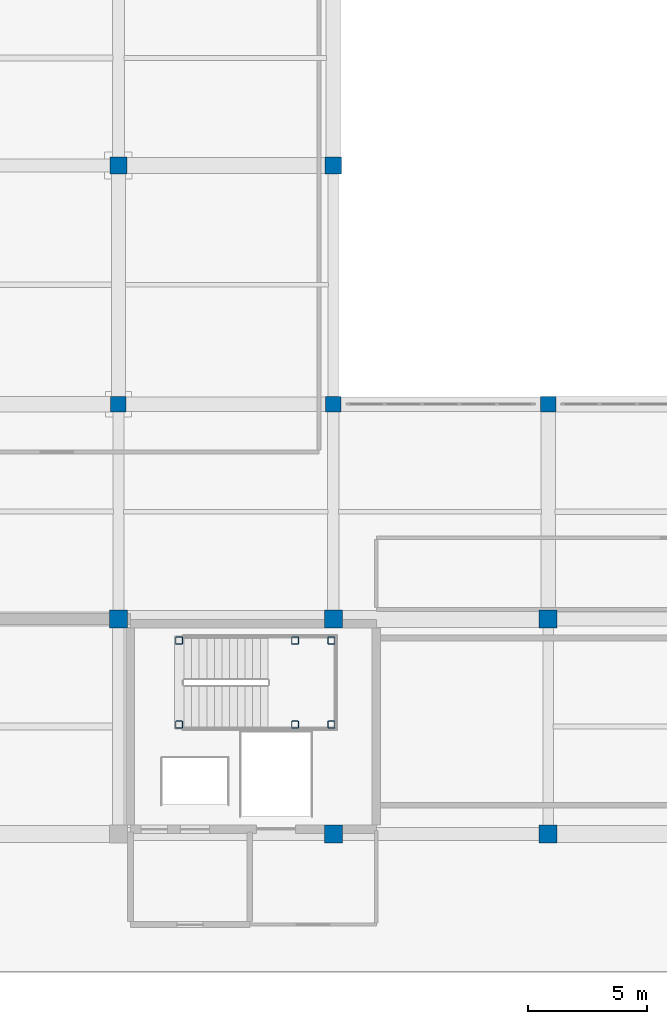
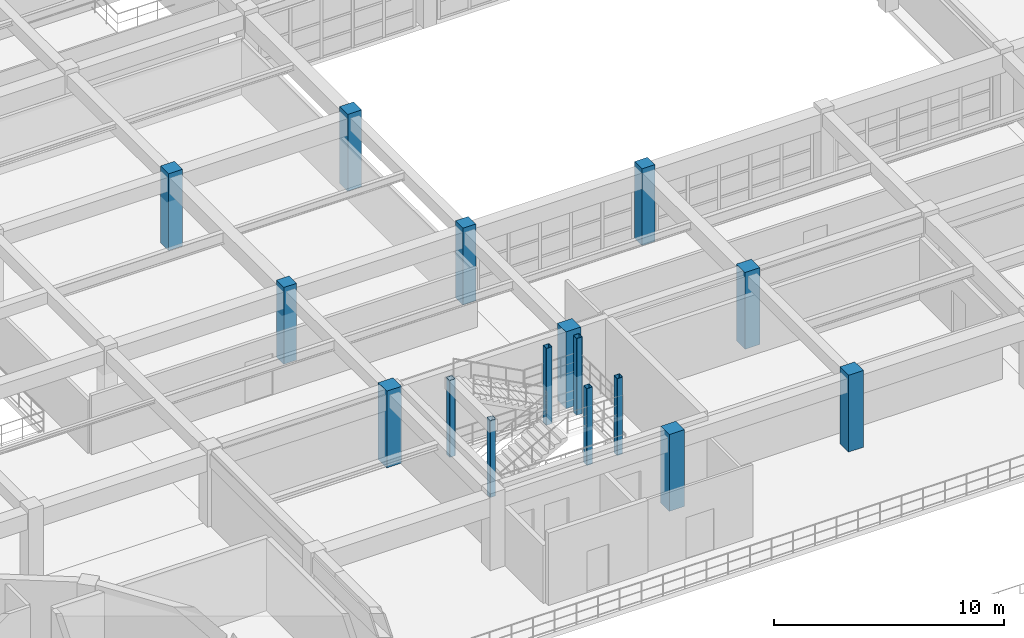
# One storey, part 12 of 130: 16 columns.
"""IFC4 building model written with IfcOpenShell, lengths in metres."""

from ifc_helpers import new_model, si_unit, direction, frame, origin, origin_2d, place, context, subcontext, project, spatial, rectangle, hollow_rectangle, extrude, material, material_profile, profile_set, type_object, element, save


model = new_model("IFC4")

# Units and contexts
model_context = context("Model", 3, precision=1e-05, world=origin(), true_north=direction((0.0, 1.0)))
body_context = subcontext(model_context, "Body", "Model", "MODEL_VIEW")
ifc_project = project(units=[si_unit("LENGTHUNIT", "METRE"), si_unit("AREAUNIT", "SQUARE_METRE"), si_unit("VOLUMEUNIT", "CUBIC_METRE"), si_unit("PLANEANGLEUNIT", "RADIAN"), si_unit("MASSUNIT", "GRAM", prefix="KILO")], contexts=[model_context])

# Site, building, storey
site_placement = place(None, origin())
site = spatial("IfcSite", under=ifc_project, at=site_placement, CompositionType="ELEMENT")
building_placement = place(site_placement, origin())
building = spatial("IfcBuilding", under=site, at=building_placement, Name="Miravela Opera House", CompositionType="ELEMENT")
storey_placement = place(building_placement, frame((0.0, 0.0, 9.52001953125)))
storey = spatial("IfcBuildingStorey", under=building, at=storey_placement, Name="L02", CompositionType="ELEMENT", Elevation=9.52001953125)

# Columns
ifc_material_1 = material(Name="Hollow structural steel ASTM A500 Gr. C", Category="steel")
ifc_material_profile_1 = material_profile(ifc_material_1, hollow_rectangle(XDim=0.300048828125, YDim=0.300048828125, WallThickness=0.01611328125, InnerFilletRadius=0.01611328125, OuterFilletRadius=0.031982421875, at=origin_2d()), Name="HSS300X300X16")
ifc_profile_set_1 = profile_set([ifc_material_profile_1])
column_type_1 = type_object("IfcColumnType", Name="STR-COL-HSS300", PredefinedType="COLUMN", material=ifc_profile_set_1)
for number, where, z_axis, x_axis, name in (
    (1, (110.5400390625, 70.580078125, 0.0), (0.0, 0.0, 1.0), (1.0, 0.0, 0.0), "Stair K3 Landing Support Column 1 (L02)"),
    (2, (110.5400390625, 74.10009765625, 0.0), (0.0, 0.0, 1.0), (1.0, 0.0, 0.0), "Stair K3 Landing Support Column 2 (L02)"),
    (3, (115.39990234375, 70.580078125, 0.0), (0.0, 0.0, 1.0), (1.0, 0.0, 0.0), "Stair K3 Landing Support Column 3 (L02)"),
    (4, (115.39990234375, 74.10009765625, 0.0), (0.0, 0.0, 1.0), (1.0, 0.0, 0.0), "Stair K3 Landing Support Column 4 (L02)"),
    (5, (116.919921875, 70.580078125, 0.0), (0.0, 0.0, 1.0), (1.0, 0.0, 0.0), "Stair K3 Landing Support Column 5 (L02)"),
    (6, (116.919921875, 74.10009765625, 0.0), (0.0, 0.0, 1.0), (1.0, 0.0, 0.0), "Stair K3 Landing Support Column 6 (L02)"),
):
    element("IfcColumn", number, at=place(storey_placement, frame(where, z_axis=z_axis, x_axis=x_axis)), inside=storey, type_object=column_type_1, Name=name, PredefinedType="COLUMN", context=body_context, shape_type="SweptSolid", body=[
        extrude(hollow_rectangle(XDim=0.300048828125, YDim=0.300048828125, WallThickness=0.01611328125, InnerFilletRadius=0.01611328125, OuterFilletRadius=0.031982421875, at=origin_2d()), origin(), (0.0, 0.0, 1.0), 4.080078125),
    ])
ifc_material_2 = material(Name="Concrete C35/45", Category="concrete")
ifc_material_profile_2 = material_profile(ifc_material_2, rectangle(XDim=0.64990234375, YDim=0.64990234375, at=origin_2d()), Name="RC-COL-650X650")
ifc_profile_set_2 = profile_set([ifc_material_profile_2])
column_type_2 = type_object("IfcColumnType", Name="STR-COL-RC650", PredefinedType="COLUMN", material=ifc_profile_set_2)
for number, where, z_axis, x_axis, name in (
    (7, (108.0, 84.0, 0.0), (0.0, 0.0, 1.0), (1.0, 0.0, 0.0), "Column C-13J (L02)"),
    (8, (117.0, 84.0, 0.0), (0.0, 0.0, 1.0), (1.0, 0.0, 0.0), "Column C-14J (L02)"),
    (9, (126.0, 84.0, 0.0), (0.0, 0.0, 1.0), (1.0, 0.0, 0.0), "Column C-15J (L02)"),
):
    element("IfcColumn", number, at=place(storey_placement, frame(where, z_axis=z_axis, x_axis=x_axis)), inside=storey, type_object=column_type_2, Name=name, PredefinedType="COLUMN", context=body_context, shape_type="SweptSolid", body=[
        extrude(rectangle(XDim=0.64990234375, YDim=0.64990234375, at=origin_2d()), origin(), (0.0, 0.0, 1.0), 4.080078125),
    ])
ifc_material_profile_3 = material_profile(ifc_material_2, rectangle(XDim=0.699951171875, YDim=0.699951171875, at=origin_2d()), Name="RC-COL-700X700")
ifc_profile_set_3 = profile_set([ifc_material_profile_3])
column_type_3 = type_object("IfcColumnType", Name="STR-COL-RC700", PredefinedType="COLUMN", material=ifc_profile_set_3)
for number, where, z_axis, x_axis, name in (
    (10, (108.0, 94.0, 0.0), (0.0, 0.0, 1.0), (1.0, 0.0, 0.0), "Column C-13K (L02)"),
    (11, (117.0, 94.0, 0.0), (0.0, 0.0, 1.0), (1.0, 0.0, 0.0), "Column C-14K (L02)"),
):
    element("IfcColumn", number, at=place(storey_placement, frame(where, z_axis=z_axis, x_axis=x_axis)), inside=storey, type_object=column_type_3, Name=name, PredefinedType="COLUMN", context=body_context, shape_type="SweptSolid", body=[
        extrude(rectangle(XDim=0.699951171875, YDim=0.699951171875, at=origin_2d()), origin(), (0.0, 0.0, 1.0), 4.080078125),
    ])
ifc_material_profile_4 = material_profile(ifc_material_2, rectangle(XDim=0.75, YDim=0.75, at=origin_2d()), Name="RC-COL-750X750")
ifc_profile_set_4 = profile_set([ifc_material_profile_4])
column_type_4 = type_object("IfcColumnType", Name="STR-COL-RC750", PredefinedType="COLUMN", material=ifc_profile_set_4)
for number, where, z_axis, x_axis, name in (
    (12, (108.0, 75.0, 0.0), (0.0, 0.0, 1.0), (1.0, 0.0, 0.0), "Column C-13I (L02)"),
    (13, (117.0, 66.0, 0.0), (0.0, 0.0, 1.0), (1.0, 0.0, 0.0), "Column C-14H (L02)"),
    (14, (117.0, 75.0, 0.0), (0.0, 0.0, 1.0), (1.0, 0.0, 0.0), "Column C-14I (L02)"),
    (15, (126.0, 66.0, 0.0), (0.0, 0.0, 1.0), (1.0, 0.0, 0.0), "Column C-15H (L02)"),
    (16, (126.0, 75.0, 0.0), (0.0, 0.0, 1.0), (1.0, 0.0, 0.0), "Column C-15I (L02)"),
):
    element("IfcColumn", number, at=place(storey_placement, frame(where, z_axis=z_axis, x_axis=x_axis)), inside=storey, type_object=column_type_4, Name=name, PredefinedType="COLUMN", context=body_context, shape_type="SweptSolid", body=[
        extrude(rectangle(XDim=0.75, YDim=0.75, at=origin_2d()), origin(), (0.0, 0.0, 1.0), 4.080078125),
    ])

save(model, "model.ifc")
